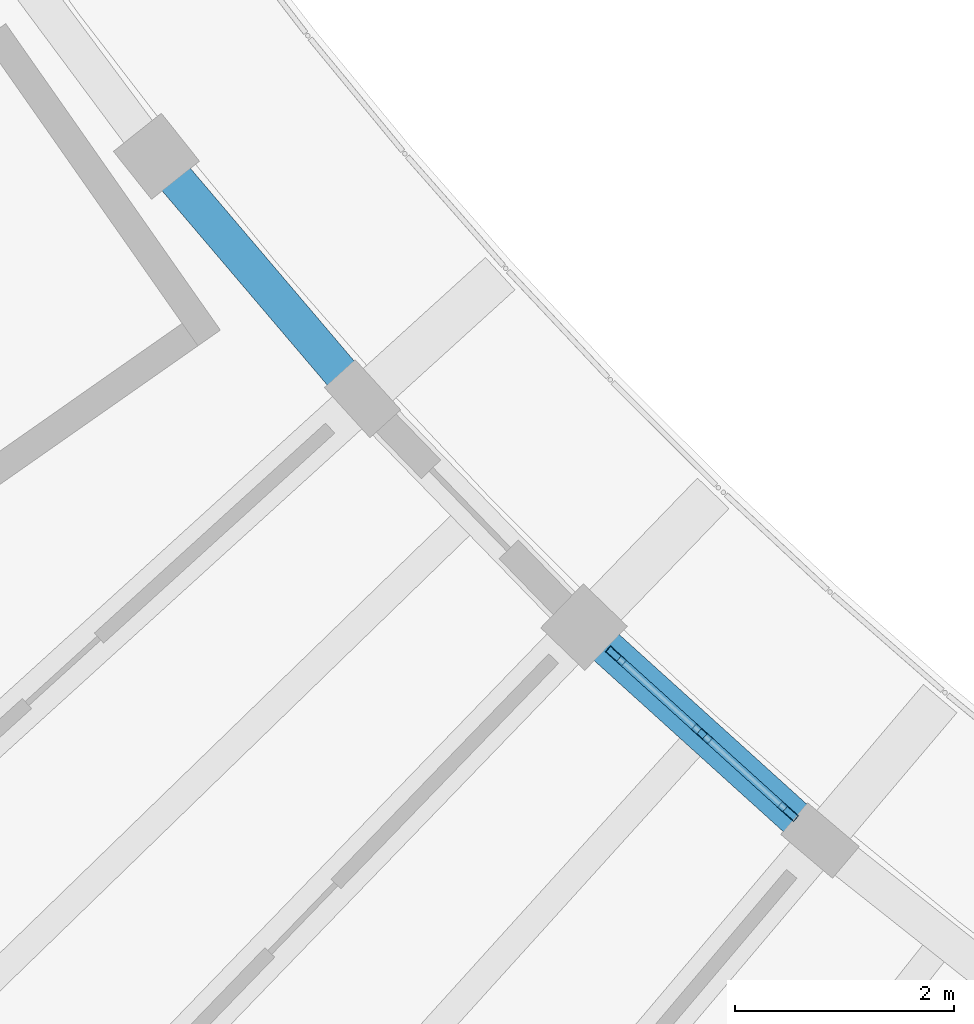
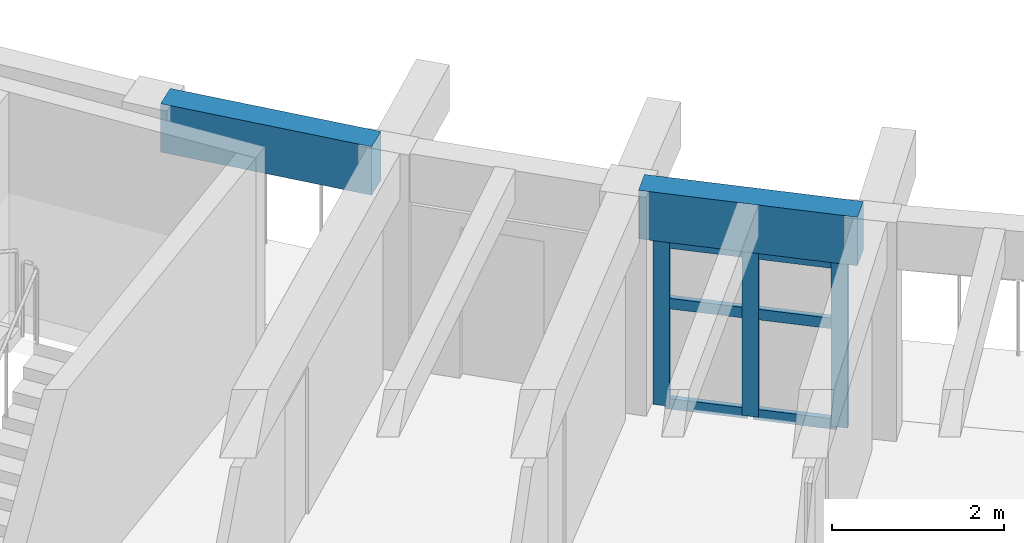
# One storey, part 7 of 78: 9 members, 2 beams, 1 element without a shape of its own.
"""IFC4 building model written with IfcOpenShell, lengths in metres."""

from ifc_helpers import new_model, si_unit, direction, frame, origin, origin_2d, place, context, subcontext, project, spatial, rectangle, hollow_rectangle, extrude, material, material_profile, profile_set, type_object, element, aggregate, save


model = new_model("IFC4")

# Units and contexts
model_context = context("Model", 3, precision=1e-05, world=origin(), true_north=direction((0.0, 1.0)))
body_context = subcontext(model_context, "Body", "Model", "MODEL_VIEW")
ifc_project = project(units=[si_unit("LENGTHUNIT", "METRE"), si_unit("AREAUNIT", "SQUARE_METRE"), si_unit("VOLUMEUNIT", "CUBIC_METRE"), si_unit("PLANEANGLEUNIT", "RADIAN"), si_unit("MASSUNIT", "GRAM", prefix="KILO")], contexts=[model_context])

# Site, building, storey
site_placement = place(None, origin())
site = spatial("IfcSite", under=ifc_project, at=site_placement, CompositionType="ELEMENT")
building_placement = place(site_placement, origin())
building = spatial("IfcBuilding", under=site, at=building_placement, Name="Tanwirah Colonnade Gardens", CompositionType="ELEMENT")
storey_placement = place(building_placement, frame((0.0, 0.0, 22.280029296875)))
storey = spatial("IfcBuildingStorey", under=building, at=storey_placement, Name="L06", CompositionType="ELEMENT", Elevation=22.280029296875)

# Curtain wall, members
ifc_material_1 = material(Name="Bronze-anodised aluminium and solar-control low-E glass", Category="aluminium")
curtain_wall_type = type_object("IfcCurtainWallType", Name="CW-GDN", PredefinedType="NOTDEFINED", material=ifc_material_1)
curtain_wall_placement = place(storey_placement, origin())
curtain_wall = element("IfcCurtainWall", 1, at=curtain_wall_placement, inside=storey, type_object=curtain_wall_type, Name="Curtain Wall CW-C-L06-IN-08", PredefinedType="NOTDEFINED")
ifc_material_2 = material(Name="Bronze-anodised aluminium", Category="aluminium")
ifc_material_profile_1 = material_profile(ifc_material_2, hollow_rectangle(XDim=0.070068359375, YDim=0.199951171875, WallThickness=0.00390625, at=origin_2d()), Name="CW-MUL 70x200x4")
ifc_profile_set_1 = profile_set([ifc_material_profile_1], Name="Bronze-anodised aluminium")
member_type_1 = type_object("IfcMemberType", Name="CWM-70x200", PredefinedType="MULLION", material=ifc_profile_set_1)
member_1_placement = place(storey_placement, frame((34.415283203125, 32.260498046875, 0.0), z_axis=(0.0, 0.0, 1.0), x_axis=(0.670750964954, 0.741682643058, 0.0)))
member_1 = element("IfcMember", 2, at=member_1_placement, type_object=member_type_1, Name="CW-GDN mullion 1", PredefinedType="MULLION", context=body_context, shape_type="SweptSolid", body=[
    extrude(hollow_rectangle(XDim=0.070068359375, YDim=0.199951171875, WallThickness=0.00390625, at=origin_2d()), origin(), (0.0, 0.0, 1.0), 2.35498046875),
])
member_2_placement = place(storey_placement, frame((35.201171875, 31.5498046875, 0.0), z_axis=(0.0, 0.0, 1.0), x_axis=(0.670750964954, 0.741682643058, 0.0)))
member_2 = element("IfcMember", 3, at=member_2_placement, type_object=member_type_1, Name="CW-GDN mullion 2", PredefinedType="MULLION", context=body_context, shape_type="SweptSolid", body=[
    extrude(hollow_rectangle(XDim=0.070068359375, YDim=0.199951171875, WallThickness=0.00390625, at=origin_2d()), origin(), (0.0, 0.0, 1.0), 2.35498046875),
])
member_3_placement = place(storey_placement, frame((35.98681640625, 30.83935546875, 0.0), z_axis=(0.0, 0.0, 1.0), x_axis=(0.670750964954, 0.741682643058, 0.0)))
member_3 = element("IfcMember", 4, at=member_3_placement, type_object=member_type_1, Name="CW-GDN mullion 3", PredefinedType="MULLION", context=body_context, shape_type="SweptSolid", body=[
    extrude(hollow_rectangle(XDim=0.070068359375, YDim=0.199951171875, WallThickness=0.00390625, at=origin_2d()), origin(), (0.0, 0.0, 1.0), 2.35498046875),
])
ifc_material_profile_2 = material_profile(ifc_material_2, hollow_rectangle(XDim=0.070068359375, YDim=0.14990234375, WallThickness=0.00390625, at=origin_2d()), Name="CW-TRN 70x150x4")
ifc_profile_set_2 = profile_set([ifc_material_profile_2], Name="Bronze-anodised aluminium")
member_type_2 = type_object("IfcMemberType", Name="CWT-70x150", PredefinedType="USERDEFINED", material=ifc_profile_set_2)
member_4_placement = place(storey_placement, frame((34.44140625, 32.23681640625, 0.034912109375), z_axis=(0.74163516815, -0.670803456583, 0.0), x_axis=(0.670803456583, 0.74163516815, 0.0)))
member_4 = element("IfcMember", 5, at=member_4_placement, type_object=member_type_2, Name="CW-GDN transom 1.1", ObjectType="TRANSOM", PredefinedType="USERDEFINED", context=body_context, shape_type="SweptSolid", body=[
    extrude(hollow_rectangle(XDim=0.070068359375, YDim=0.14990234375, WallThickness=0.00390625, at=origin_2d()), origin(), (0.0, 0.0, 1.0), 0.9892578125),
])
member_5_placement = place(storey_placement, frame((34.44140625, 32.23681640625, 1.4599609375), z_axis=(0.74163516815, -0.670803456583, 0.0), x_axis=(0.670803456583, 0.74163516815, 0.0)))
member_5 = element("IfcMember", 6, at=member_5_placement, type_object=member_type_2, Name="CW-GDN transom 1.2", ObjectType="TRANSOM", PredefinedType="USERDEFINED", context=body_context, shape_type="SweptSolid", body=[
    extrude(hollow_rectangle(XDim=0.070068359375, YDim=0.14990234375, WallThickness=0.00390625, at=origin_2d()), origin(), (0.0, 0.0, 1.0), 0.9892578125),
])
member_6_placement = place(storey_placement, frame((34.44140625, 32.23681640625, 2.320068359375), z_axis=(0.74163516815, -0.670803456583, 0.0), x_axis=(0.670803456583, 0.74163516815, 0.0)))
member_6 = element("IfcMember", 7, at=member_6_placement, type_object=member_type_2, Name="CW-GDN transom 1.3", ObjectType="TRANSOM", PredefinedType="USERDEFINED", context=body_context, shape_type="SweptSolid", body=[
    extrude(hollow_rectangle(XDim=0.070068359375, YDim=0.14990234375, WallThickness=0.00390625, at=origin_2d()), origin(), (0.0, 0.0, 1.0), 0.9892578125),
])
member_7_placement = place(storey_placement, frame((35.22705078125, 31.5263671875, 0.034912109375), z_axis=(0.741746192232, -0.670680688785, 0.0), x_axis=(0.670680688785, 0.741746192232, 0.0)))
member_7 = element("IfcMember", 8, at=member_7_placement, type_object=member_type_2, Name="CW-GDN transom 2.1", ObjectType="TRANSOM", PredefinedType="USERDEFINED", context=body_context, shape_type="SweptSolid", body=[
    extrude(hollow_rectangle(XDim=0.070068359375, YDim=0.14990234375, WallThickness=0.00390625, at=origin_2d()), origin(), (0.0, 0.0, 1.0), 0.989501953125),
])
member_8_placement = place(storey_placement, frame((35.22705078125, 31.5263671875, 1.4599609375), z_axis=(0.741746192232, -0.670680688785, 0.0), x_axis=(0.670680688785, 0.741746192232, 0.0)))
member_8 = element("IfcMember", 9, at=member_8_placement, type_object=member_type_2, Name="CW-GDN transom 2.2", ObjectType="TRANSOM", PredefinedType="USERDEFINED", context=body_context, shape_type="SweptSolid", body=[
    extrude(hollow_rectangle(XDim=0.070068359375, YDim=0.14990234375, WallThickness=0.00390625, at=origin_2d()), origin(), (0.0, 0.0, 1.0), 0.989501953125),
])
member_9_placement = place(storey_placement, frame((35.22705078125, 31.5263671875, 2.320068359375), z_axis=(0.741746192232, -0.670680688785, 0.0), x_axis=(0.670680688785, 0.741746192232, 0.0)))
member_9 = element("IfcMember", 10, at=member_9_placement, type_object=member_type_2, Name="CW-GDN transom 2.3", ObjectType="TRANSOM", PredefinedType="USERDEFINED", context=body_context, shape_type="SweptSolid", body=[
    extrude(hollow_rectangle(XDim=0.070068359375, YDim=0.14990234375, WallThickness=0.00390625, at=origin_2d()), origin(), (0.0, 0.0, 1.0), 0.989501953125),
])
aggregate(curtain_wall, [member_1, member_2, member_3, member_4, member_5, member_6, member_7, member_8, member_9])

# Beams
ifc_material_3 = material(Name="Precast concrete C40/50", Category="concrete")
ifc_material_profile_3 = material_profile(ifc_material_3, rectangle(XDim=0.330078125, YDim=0.68994140625, at=origin_2d()), Name="PC-SP 330x690")
ifc_profile_set_3 = profile_set([ifc_material_profile_3], Name="Precast concrete C40/50")
beam_type = type_object("IfcBeamType", Name="SP-PC280", PredefinedType="SPANDREL", material=ifc_profile_set_3)
for number, where, z_axis, x_axis, name in (
    (11, (30.310302734375, 36.71484375, 2.764892578125), (0.647811402053, -0.761800753065, 0.0), (0.761800753065, 0.647811402053, 0.0), "Block C L06 Circumferential Beam 6-R0"),
    (12, (34.233642578125, 32.4248046875, 2.764892578125), (0.741686528432, -0.670746668678, 0.0), (0.670746668678, 0.741686528432, 0.0), "Block C L06 Circumferential Beam 8-R0"),
):
    element("IfcBeam", number, at=place(storey_placement, frame(where, z_axis=z_axis, x_axis=x_axis)), inside=storey, type_object=beam_type, Name=name, PredefinedType="SPANDREL", context=body_context, shape_type="SweptSolid", body=[
        extrude(rectangle(XDim=0.330078125, YDim=0.68994140625, at=origin_2d()), origin(), (0.0, 0.0, 1.0), 2.608642578125),
    ])

save(model, "model.ifc")
